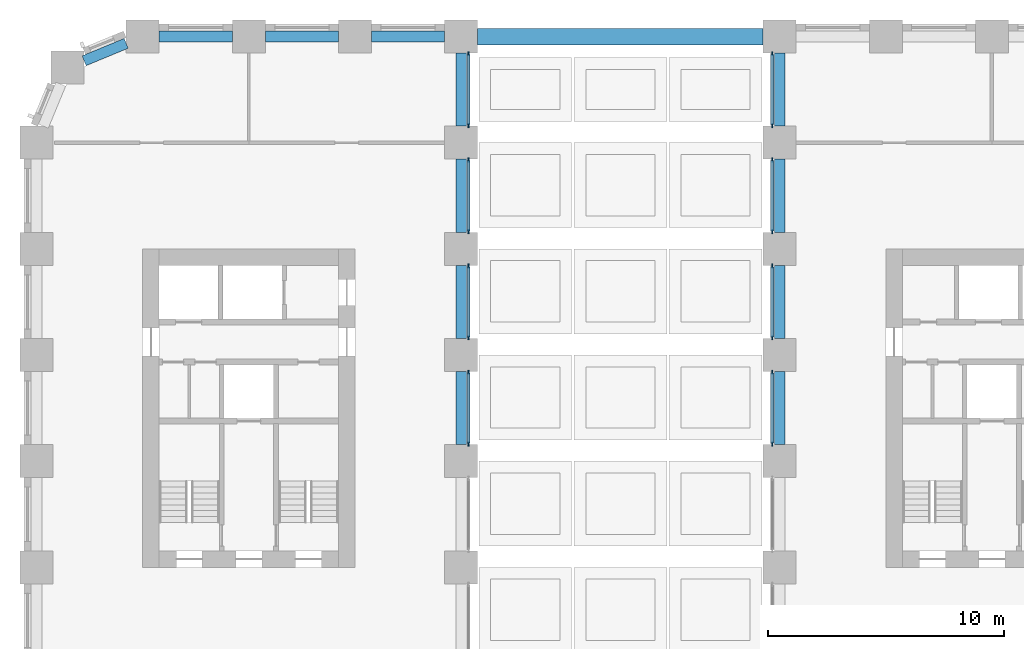
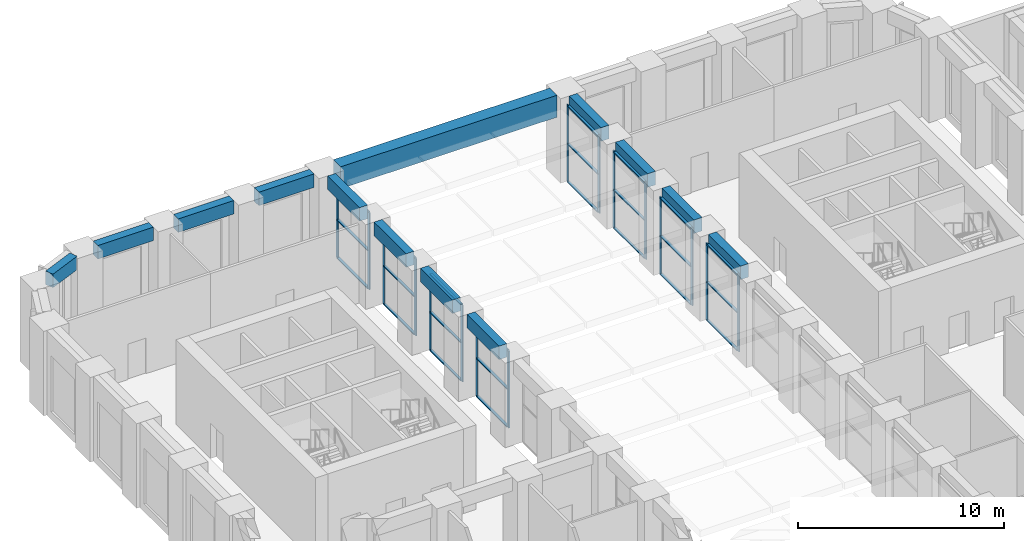
# One storey, part 5 of 24: 40 members, 13 beams, 8 elements without a shape of their own.
"""IFC4 building model written with IfcOpenShell, lengths in metres."""

from ifc_helpers import new_model, si_unit, direction, frame, origin, origin_2d, place, context, subcontext, project, spatial, rectangle, extrude, material, material_profile, profile_set, type_object, element, aggregate, save


model = new_model("IFC4")

# Units and contexts
model_context = context("Model", 3, precision=1e-05, world=origin(), true_north=direction((0.0, 1.0)))
body_context = subcontext(model_context, "Body", "Model", "MODEL_VIEW")
ifc_project = project(units=[si_unit("LENGTHUNIT", "METRE"), si_unit("AREAUNIT", "SQUARE_METRE"), si_unit("VOLUMEUNIT", "CUBIC_METRE"), si_unit("PLANEANGLEUNIT", "RADIAN"), si_unit("MASSUNIT", "GRAM", prefix="KILO")], contexts=[model_context])

# Site, building, storey
site_placement = place(None, origin())
site = spatial("IfcSite", under=ifc_project, at=site_placement, CompositionType="ELEMENT")
building_placement = place(site_placement, origin())
building = spatial("IfcBuilding", under=site, at=building_placement, Name="Girih Gate Residences", CompositionType="ELEMENT")
storey_placement = place(building_placement, frame((0.0, 0.0, 16.0)))
storey = spatial("IfcBuildingStorey", under=building, at=storey_placement, Name="L03", CompositionType="ELEMENT", Elevation=16.0)

# Curtain wall, members
ifc_material_1 = material(Name="Aluminium curtain wall frame", Category="aluminium")
curtain_wall_type = type_object("IfcCurtainWallType", Name="Curtain wall CW-2 podium amenity glazing", PredefinedType="NOTDEFINED", material=ifc_material_1)
curtain_wall_1_placement = place(storey_placement, origin())
curtain_wall_1 = element("IfcCurtainWall", 1, at=curtain_wall_1_placement, inside=storey, type_object=curtain_wall_type, Name="CW-2 Podium amenity glazing E0180_0000.7", PredefinedType="NOTDEFINED")
ifc_material_profile_1 = material_profile(ifc_material_1, rectangle(XDim=0.06005859375, YDim=0.179931640625, at=origin_2d()))
ifc_profile_set_1 = profile_set([ifc_material_profile_1], Name="Aluminium curtain wall frame")
member_type_1 = type_object("IfcMemberType", Name="Curtain wall mullion 60x180", PredefinedType="MULLION", material=ifc_profile_set_1)
member_1_placement = place(storey_placement, frame((18.31494140625, 32.22998046875, 0.0), z_axis=(0.0, 0.0, 1.0), x_axis=(-1.0, 0.0, 0.0)))
member_1 = element("IfcMember", 2, at=member_1_placement, type_object=member_type_1, Name="CW-2 mullion 1", PredefinedType="MULLION", context=body_context, shape_type="SweptSolid", body=[
    extrude(rectangle(XDim=0.06005859375, YDim=0.179931640625, at=origin_2d()), origin(), (0.0, 0.0, 1.0), 4.550048828125),
])
member_2_placement = place(storey_placement, frame((18.31494140625, 35.27001953125, 0.0), z_axis=(0.0, 0.0, 1.0), x_axis=(-1.0, 0.0, 0.0)))
member_2 = element("IfcMember", 3, at=member_2_placement, type_object=member_type_1, Name="CW-2 mullion 2", PredefinedType="MULLION", context=body_context, shape_type="SweptSolid", body=[
    extrude(rectangle(XDim=0.06005859375, YDim=0.179931640625, at=origin_2d()), origin(), (0.0, 0.0, 1.0), 4.550048828125),
])

curtain_wall_2_placement = place(storey_placement, origin())
curtain_wall_2 = element("IfcCurtainWall", 4, at=curtain_wall_2_placement, inside=storey, type_object=curtain_wall_type, Name="CW-2 Podium amenity glazing E0180_0000.8", PredefinedType="NOTDEFINED")
member_3_placement = place(storey_placement, frame((18.31494140625, 36.72998046875, 0.0), z_axis=(0.0, 0.0, 1.0), x_axis=(-1.0, 0.0, 0.0)))
member_3 = element("IfcMember", 5, at=member_3_placement, type_object=member_type_1, Name="CW-2 mullion 1", PredefinedType="MULLION", context=body_context, shape_type="SweptSolid", body=[
    extrude(rectangle(XDim=0.06005859375, YDim=0.179931640625, at=origin_2d()), origin(), (0.0, 0.0, 1.0), 4.550048828125),
])
member_4_placement = place(storey_placement, frame((18.31494140625, 39.77001953125, 0.0), z_axis=(0.0, 0.0, 1.0), x_axis=(-1.0, 0.0, 0.0)))
member_4 = element("IfcMember", 6, at=member_4_placement, type_object=member_type_1, Name="CW-2 mullion 2", PredefinedType="MULLION", context=body_context, shape_type="SweptSolid", body=[
    extrude(rectangle(XDim=0.06005859375, YDim=0.179931640625, at=origin_2d()), origin(), (0.0, 0.0, 1.0), 4.550048828125),
])

curtain_wall_3_placement = place(storey_placement, origin())
curtain_wall_3 = element("IfcCurtainWall", 7, at=curtain_wall_3_placement, inside=storey, type_object=curtain_wall_type, Name="CW-2 Podium amenity glazing E0180_0000.9", PredefinedType="NOTDEFINED")
member_5_placement = place(storey_placement, frame((18.31494140625, 41.22998046875, 0.0), z_axis=(0.0, 0.0, 1.0), x_axis=(-1.0, 0.0, 0.0)))
member_5 = element("IfcMember", 8, at=member_5_placement, type_object=member_type_1, Name="CW-2 mullion 1", PredefinedType="MULLION", context=body_context, shape_type="SweptSolid", body=[
    extrude(rectangle(XDim=0.06005859375, YDim=0.179931640625, at=origin_2d()), origin(), (0.0, 0.0, 1.0), 4.550048828125),
])
member_6_placement = place(storey_placement, frame((18.31494140625, 44.27001953125, 0.0), z_axis=(0.0, 0.0, 1.0), x_axis=(-1.0, 0.0, 0.0)))
member_6 = element("IfcMember", 9, at=member_6_placement, type_object=member_type_1, Name="CW-2 mullion 2", PredefinedType="MULLION", context=body_context, shape_type="SweptSolid", body=[
    extrude(rectangle(XDim=0.06005859375, YDim=0.179931640625, at=origin_2d()), origin(), (0.0, 0.0, 1.0), 4.550048828125),
])

curtain_wall_4_placement = place(storey_placement, origin())
curtain_wall_4 = element("IfcCurtainWall", 10, at=curtain_wall_4_placement, inside=storey, type_object=curtain_wall_type, Name="CW-2 Podium amenity glazing E0180_0000.10", PredefinedType="NOTDEFINED")
member_7_placement = place(storey_placement, frame((18.31494140625, 45.72998046875, 0.0), z_axis=(0.0, 0.0, 1.0), x_axis=(-1.0, 0.0, 0.0)))
member_7 = element("IfcMember", 11, at=member_7_placement, type_object=member_type_1, Name="CW-2 mullion 1", PredefinedType="MULLION", context=body_context, shape_type="SweptSolid", body=[
    extrude(rectangle(XDim=0.06005859375, YDim=0.179931640625, at=origin_2d()), origin(), (0.0, 0.0, 1.0), 4.550048828125),
])
member_8_placement = place(storey_placement, frame((18.31494140625, 48.77001953125, 0.0), z_axis=(0.0, 0.0, 1.0), x_axis=(-1.0, 0.0, 0.0)))
member_8 = element("IfcMember", 12, at=member_8_placement, type_object=member_type_1, Name="CW-2 mullion 2", PredefinedType="MULLION", context=body_context, shape_type="SweptSolid", body=[
    extrude(rectangle(XDim=0.06005859375, YDim=0.179931640625, at=origin_2d()), origin(), (0.0, 0.0, 1.0), 4.550048828125),
])

curtain_wall_5_placement = place(storey_placement, origin())
curtain_wall_5 = element("IfcCurtainWall", 13, at=curtain_wall_5_placement, inside=storey, type_object=curtain_wall_type, Name="CW-2 Podium amenity glazing W0315_0495.0", PredefinedType="NOTDEFINED")
member_9_placement = place(storey_placement, frame((31.18505859375, 48.77001953125, 0.0), z_axis=(0.0, 0.0, 1.0), x_axis=(1.0, 0.0, 0.0)))
member_9 = element("IfcMember", 14, at=member_9_placement, type_object=member_type_1, Name="CW-2 mullion 1", PredefinedType="MULLION", context=body_context, shape_type="SweptSolid", body=[
    extrude(rectangle(XDim=0.06005859375, YDim=0.179931640625, at=origin_2d()), origin(), (0.0, 0.0, 1.0), 4.550048828125),
])
member_10_placement = place(storey_placement, frame((31.18505859375, 45.72998046875, 0.0), z_axis=(0.0, 0.0, 1.0), x_axis=(1.0, 0.0, 0.0)))
member_10 = element("IfcMember", 15, at=member_10_placement, type_object=member_type_1, Name="CW-2 mullion 2", PredefinedType="MULLION", context=body_context, shape_type="SweptSolid", body=[
    extrude(rectangle(XDim=0.06005859375, YDim=0.179931640625, at=origin_2d()), origin(), (0.0, 0.0, 1.0), 4.550048828125),
])

curtain_wall_6_placement = place(storey_placement, origin())
curtain_wall_6 = element("IfcCurtainWall", 16, at=curtain_wall_6_placement, inside=storey, type_object=curtain_wall_type, Name="CW-2 Podium amenity glazing W0315_0495.1", PredefinedType="NOTDEFINED")
member_11_placement = place(storey_placement, frame((31.18505859375, 44.27001953125, 0.0), z_axis=(0.0, 0.0, 1.0), x_axis=(1.0, 0.0, 0.0)))
member_11 = element("IfcMember", 17, at=member_11_placement, type_object=member_type_1, Name="CW-2 mullion 1", PredefinedType="MULLION", context=body_context, shape_type="SweptSolid", body=[
    extrude(rectangle(XDim=0.06005859375, YDim=0.179931640625, at=origin_2d()), origin(), (0.0, 0.0, 1.0), 4.550048828125),
])
member_12_placement = place(storey_placement, frame((31.18505859375, 41.22998046875, 0.0), z_axis=(0.0, 0.0, 1.0), x_axis=(1.0, 0.0, 0.0)))
member_12 = element("IfcMember", 18, at=member_12_placement, type_object=member_type_1, Name="CW-2 mullion 2", PredefinedType="MULLION", context=body_context, shape_type="SweptSolid", body=[
    extrude(rectangle(XDim=0.06005859375, YDim=0.179931640625, at=origin_2d()), origin(), (0.0, 0.0, 1.0), 4.550048828125),
])

curtain_wall_7_placement = place(storey_placement, origin())
curtain_wall_7 = element("IfcCurtainWall", 19, at=curtain_wall_7_placement, inside=storey, type_object=curtain_wall_type, Name="CW-2 Podium amenity glazing W0315_0495.2", PredefinedType="NOTDEFINED")
member_13_placement = place(storey_placement, frame((31.18505859375, 39.77001953125, 0.0), z_axis=(0.0, 0.0, 1.0), x_axis=(1.0, 0.0, 0.0)))
member_13 = element("IfcMember", 20, at=member_13_placement, type_object=member_type_1, Name="CW-2 mullion 1", PredefinedType="MULLION", context=body_context, shape_type="SweptSolid", body=[
    extrude(rectangle(XDim=0.06005859375, YDim=0.179931640625, at=origin_2d()), origin(), (0.0, 0.0, 1.0), 4.550048828125),
])
member_14_placement = place(storey_placement, frame((31.18505859375, 36.72998046875, 0.0), z_axis=(0.0, 0.0, 1.0), x_axis=(1.0, 0.0, 0.0)))
member_14 = element("IfcMember", 21, at=member_14_placement, type_object=member_type_1, Name="CW-2 mullion 2", PredefinedType="MULLION", context=body_context, shape_type="SweptSolid", body=[
    extrude(rectangle(XDim=0.06005859375, YDim=0.179931640625, at=origin_2d()), origin(), (0.0, 0.0, 1.0), 4.550048828125),
])

curtain_wall_8_placement = place(storey_placement, origin())
curtain_wall_8 = element("IfcCurtainWall", 22, at=curtain_wall_8_placement, inside=storey, type_object=curtain_wall_type, Name="CW-2 Podium amenity glazing W0315_0495.3", PredefinedType="NOTDEFINED")
member_15_placement = place(storey_placement, frame((31.18505859375, 35.27001953125, 0.0), z_axis=(0.0, 0.0, 1.0), x_axis=(1.0, 0.0, 0.0)))
member_15 = element("IfcMember", 23, at=member_15_placement, type_object=member_type_1, Name="CW-2 mullion 1", PredefinedType="MULLION", context=body_context, shape_type="SweptSolid", body=[
    extrude(rectangle(XDim=0.06005859375, YDim=0.179931640625, at=origin_2d()), origin(), (0.0, 0.0, 1.0), 4.550048828125),
])
member_16_placement = place(storey_placement, frame((31.18505859375, 32.22998046875, 0.0), z_axis=(0.0, 0.0, 1.0), x_axis=(1.0, 0.0, 0.0)))
member_16 = element("IfcMember", 24, at=member_16_placement, type_object=member_type_1, Name="CW-2 mullion 2", PredefinedType="MULLION", context=body_context, shape_type="SweptSolid", body=[
    extrude(rectangle(XDim=0.06005859375, YDim=0.179931640625, at=origin_2d()), origin(), (0.0, 0.0, 1.0), 4.550048828125),
])

# Member
ifc_material_profile_2 = material_profile(ifc_material_1, rectangle(XDim=0.139892578125, YDim=0.06005859375, at=origin_2d()))
ifc_profile_set_2 = profile_set([ifc_material_profile_2], Name="Aluminium curtain wall frame")
member_type_2 = type_object("IfcMemberType", Name="Curtain wall transom 60x140", PredefinedType="USERDEFINED", material=ifc_profile_set_2)
member_17_placement = place(storey_placement, frame((18.31494140625, 32.260009765625, 0.030029296875), z_axis=(0.0, 1.0, 0.0), x_axis=(-1.0, 0.0, 0.0)))
member_17 = element("IfcMember", 25, at=member_17_placement, type_object=member_type_2, Name="CW-2 transom 1.1", ObjectType="TRANSOM", PredefinedType="USERDEFINED", context=body_context, shape_type="SweptSolid", body=[
    extrude(rectangle(XDim=0.139892578125, YDim=0.06005859375, at=origin_2d()), origin(), (0.0, 0.0, 1.0), 2.97998046875),
])

member_18_placement = place(storey_placement, frame((18.31494140625, 32.260009765625, 2.27490234375), z_axis=(0.0, 1.0, 0.0), x_axis=(-1.0, 0.0, 0.0)))
member_18 = element("IfcMember", 26, at=member_18_placement, type_object=member_type_2, Name="CW-2 transom 1.2", ObjectType="TRANSOM", PredefinedType="USERDEFINED", context=body_context, shape_type="SweptSolid", body=[
    extrude(rectangle(XDim=0.139892578125, YDim=0.06005859375, at=origin_2d()), origin(), (0.0, 0.0, 1.0), 2.97998046875),
])

member_19_placement = place(storey_placement, frame((18.31494140625, 32.260009765625, 4.52001953125), z_axis=(0.0, 1.0, 0.0), x_axis=(-1.0, 0.0, 0.0)))
member_19 = element("IfcMember", 27, at=member_19_placement, type_object=member_type_2, Name="CW-2 transom 1.3", ObjectType="TRANSOM", PredefinedType="USERDEFINED", context=body_context, shape_type="SweptSolid", body=[
    extrude(rectangle(XDim=0.139892578125, YDim=0.06005859375, at=origin_2d()), origin(), (0.0, 0.0, 1.0), 2.97998046875),
])

aggregate(curtain_wall_1, [member_1, member_2, member_17, member_18, member_19])

member_20_placement = place(storey_placement, frame((18.31494140625, 36.760009765625, 0.030029296875), z_axis=(0.0, 1.0, 0.0), x_axis=(-1.0, 0.0, 0.0)))
member_20 = element("IfcMember", 28, at=member_20_placement, type_object=member_type_2, Name="CW-2 transom 1.1", ObjectType="TRANSOM", PredefinedType="USERDEFINED", context=body_context, shape_type="SweptSolid", body=[
    extrude(rectangle(XDim=0.139892578125, YDim=0.06005859375, at=origin_2d()), origin(), (0.0, 0.0, 1.0), 2.97998046875),
])

member_21_placement = place(storey_placement, frame((18.31494140625, 36.760009765625, 2.27490234375), z_axis=(0.0, 1.0, 0.0), x_axis=(-1.0, 0.0, 0.0)))
member_21 = element("IfcMember", 29, at=member_21_placement, type_object=member_type_2, Name="CW-2 transom 1.2", ObjectType="TRANSOM", PredefinedType="USERDEFINED", context=body_context, shape_type="SweptSolid", body=[
    extrude(rectangle(XDim=0.139892578125, YDim=0.06005859375, at=origin_2d()), origin(), (0.0, 0.0, 1.0), 2.97998046875),
])

member_22_placement = place(storey_placement, frame((18.31494140625, 36.760009765625, 4.52001953125), z_axis=(0.0, 1.0, 0.0), x_axis=(-1.0, 0.0, 0.0)))
member_22 = element("IfcMember", 30, at=member_22_placement, type_object=member_type_2, Name="CW-2 transom 1.3", ObjectType="TRANSOM", PredefinedType="USERDEFINED", context=body_context, shape_type="SweptSolid", body=[
    extrude(rectangle(XDim=0.139892578125, YDim=0.06005859375, at=origin_2d()), origin(), (0.0, 0.0, 1.0), 2.97998046875),
])

aggregate(curtain_wall_2, [member_3, member_4, member_20, member_21, member_22])

member_23_placement = place(storey_placement, frame((18.31494140625, 41.260009765625, 0.030029296875), z_axis=(0.0, 1.0, 0.0), x_axis=(-1.0, 0.0, 0.0)))
member_23 = element("IfcMember", 31, at=member_23_placement, type_object=member_type_2, Name="CW-2 transom 1.1", ObjectType="TRANSOM", PredefinedType="USERDEFINED", context=body_context, shape_type="SweptSolid", body=[
    extrude(rectangle(XDim=0.139892578125, YDim=0.06005859375, at=origin_2d()), origin(), (0.0, 0.0, 1.0), 2.97998046875),
])

member_24_placement = place(storey_placement, frame((18.31494140625, 41.260009765625, 2.27490234375), z_axis=(0.0, 1.0, 0.0), x_axis=(-1.0, 0.0, 0.0)))
member_24 = element("IfcMember", 32, at=member_24_placement, type_object=member_type_2, Name="CW-2 transom 1.2", ObjectType="TRANSOM", PredefinedType="USERDEFINED", context=body_context, shape_type="SweptSolid", body=[
    extrude(rectangle(XDim=0.139892578125, YDim=0.06005859375, at=origin_2d()), origin(), (0.0, 0.0, 1.0), 2.97998046875),
])

member_25_placement = place(storey_placement, frame((18.31494140625, 41.260009765625, 4.52001953125), z_axis=(0.0, 1.0, 0.0), x_axis=(-1.0, 0.0, 0.0)))
member_25 = element("IfcMember", 33, at=member_25_placement, type_object=member_type_2, Name="CW-2 transom 1.3", ObjectType="TRANSOM", PredefinedType="USERDEFINED", context=body_context, shape_type="SweptSolid", body=[
    extrude(rectangle(XDim=0.139892578125, YDim=0.06005859375, at=origin_2d()), origin(), (0.0, 0.0, 1.0), 2.97998046875),
])

aggregate(curtain_wall_3, [member_5, member_6, member_23, member_24, member_25])

member_26_placement = place(storey_placement, frame((18.31494140625, 45.760009765625, 0.030029296875), z_axis=(0.0, 1.0, 0.0), x_axis=(-1.0, 0.0, 0.0)))
member_26 = element("IfcMember", 34, at=member_26_placement, type_object=member_type_2, Name="CW-2 transom 1.1", ObjectType="TRANSOM", PredefinedType="USERDEFINED", context=body_context, shape_type="SweptSolid", body=[
    extrude(rectangle(XDim=0.139892578125, YDim=0.06005859375, at=origin_2d()), origin(), (0.0, 0.0, 1.0), 2.97998046875),
])

member_27_placement = place(storey_placement, frame((18.31494140625, 45.760009765625, 2.27490234375), z_axis=(0.0, 1.0, 0.0), x_axis=(-1.0, 0.0, 0.0)))
member_27 = element("IfcMember", 35, at=member_27_placement, type_object=member_type_2, Name="CW-2 transom 1.2", ObjectType="TRANSOM", PredefinedType="USERDEFINED", context=body_context, shape_type="SweptSolid", body=[
    extrude(rectangle(XDim=0.139892578125, YDim=0.06005859375, at=origin_2d()), origin(), (0.0, 0.0, 1.0), 2.97998046875),
])

member_28_placement = place(storey_placement, frame((18.31494140625, 45.760009765625, 4.52001953125), z_axis=(0.0, 1.0, 0.0), x_axis=(-1.0, 0.0, 0.0)))
member_28 = element("IfcMember", 36, at=member_28_placement, type_object=member_type_2, Name="CW-2 transom 1.3", ObjectType="TRANSOM", PredefinedType="USERDEFINED", context=body_context, shape_type="SweptSolid", body=[
    extrude(rectangle(XDim=0.139892578125, YDim=0.06005859375, at=origin_2d()), origin(), (0.0, 0.0, 1.0), 2.97998046875),
])

aggregate(curtain_wall_4, [member_7, member_8, member_26, member_27, member_28])

member_29_placement = place(storey_placement, frame((31.18505859375, 48.739990234375, 0.030029296875), z_axis=(0.0, -1.0, 0.0), x_axis=(1.0, 0.0, 0.0)))
member_29 = element("IfcMember", 37, at=member_29_placement, type_object=member_type_2, Name="CW-2 transom 1.1", ObjectType="TRANSOM", PredefinedType="USERDEFINED", context=body_context, shape_type="SweptSolid", body=[
    extrude(rectangle(XDim=0.139892578125, YDim=0.06005859375, at=origin_2d()), origin(), (0.0, 0.0, 1.0), 2.97998046875),
])

member_30_placement = place(storey_placement, frame((31.18505859375, 48.739990234375, 2.27490234375), z_axis=(0.0, -1.0, 0.0), x_axis=(1.0, 0.0, 0.0)))
member_30 = element("IfcMember", 38, at=member_30_placement, type_object=member_type_2, Name="CW-2 transom 1.2", ObjectType="TRANSOM", PredefinedType="USERDEFINED", context=body_context, shape_type="SweptSolid", body=[
    extrude(rectangle(XDim=0.139892578125, YDim=0.06005859375, at=origin_2d()), origin(), (0.0, 0.0, 1.0), 2.97998046875),
])

member_31_placement = place(storey_placement, frame((31.18505859375, 48.739990234375, 4.52001953125), z_axis=(0.0, -1.0, 0.0), x_axis=(1.0, 0.0, 0.0)))
member_31 = element("IfcMember", 39, at=member_31_placement, type_object=member_type_2, Name="CW-2 transom 1.3", ObjectType="TRANSOM", PredefinedType="USERDEFINED", context=body_context, shape_type="SweptSolid", body=[
    extrude(rectangle(XDim=0.139892578125, YDim=0.06005859375, at=origin_2d()), origin(), (0.0, 0.0, 1.0), 2.97998046875),
])

aggregate(curtain_wall_5, [member_9, member_10, member_29, member_30, member_31])

member_32_placement = place(storey_placement, frame((31.18505859375, 44.239990234375, 0.030029296875), z_axis=(0.0, -1.0, 0.0), x_axis=(1.0, 0.0, 0.0)))
member_32 = element("IfcMember", 40, at=member_32_placement, type_object=member_type_2, Name="CW-2 transom 1.1", ObjectType="TRANSOM", PredefinedType="USERDEFINED", context=body_context, shape_type="SweptSolid", body=[
    extrude(rectangle(XDim=0.139892578125, YDim=0.06005859375, at=origin_2d()), origin(), (0.0, 0.0, 1.0), 2.97998046875),
])

member_33_placement = place(storey_placement, frame((31.18505859375, 44.239990234375, 2.27490234375), z_axis=(0.0, -1.0, 0.0), x_axis=(1.0, 0.0, 0.0)))
member_33 = element("IfcMember", 41, at=member_33_placement, type_object=member_type_2, Name="CW-2 transom 1.2", ObjectType="TRANSOM", PredefinedType="USERDEFINED", context=body_context, shape_type="SweptSolid", body=[
    extrude(rectangle(XDim=0.139892578125, YDim=0.06005859375, at=origin_2d()), origin(), (0.0, 0.0, 1.0), 2.97998046875),
])

member_34_placement = place(storey_placement, frame((31.18505859375, 44.239990234375, 4.52001953125), z_axis=(0.0, -1.0, 0.0), x_axis=(1.0, 0.0, 0.0)))
member_34 = element("IfcMember", 42, at=member_34_placement, type_object=member_type_2, Name="CW-2 transom 1.3", ObjectType="TRANSOM", PredefinedType="USERDEFINED", context=body_context, shape_type="SweptSolid", body=[
    extrude(rectangle(XDim=0.139892578125, YDim=0.06005859375, at=origin_2d()), origin(), (0.0, 0.0, 1.0), 2.97998046875),
])

aggregate(curtain_wall_6, [member_11, member_12, member_32, member_33, member_34])

member_35_placement = place(storey_placement, frame((31.18505859375, 39.739990234375, 0.030029296875), z_axis=(0.0, -1.0, 0.0), x_axis=(1.0, 0.0, 0.0)))
member_35 = element("IfcMember", 43, at=member_35_placement, type_object=member_type_2, Name="CW-2 transom 1.1", ObjectType="TRANSOM", PredefinedType="USERDEFINED", context=body_context, shape_type="SweptSolid", body=[
    extrude(rectangle(XDim=0.139892578125, YDim=0.06005859375, at=origin_2d()), origin(), (0.0, 0.0, 1.0), 2.97998046875),
])

member_36_placement = place(storey_placement, frame((31.18505859375, 39.739990234375, 2.27490234375), z_axis=(0.0, -1.0, 0.0), x_axis=(1.0, 0.0, 0.0)))
member_36 = element("IfcMember", 44, at=member_36_placement, type_object=member_type_2, Name="CW-2 transom 1.2", ObjectType="TRANSOM", PredefinedType="USERDEFINED", context=body_context, shape_type="SweptSolid", body=[
    extrude(rectangle(XDim=0.139892578125, YDim=0.06005859375, at=origin_2d()), origin(), (0.0, 0.0, 1.0), 2.97998046875),
])

member_37_placement = place(storey_placement, frame((31.18505859375, 39.739990234375, 4.52001953125), z_axis=(0.0, -1.0, 0.0), x_axis=(1.0, 0.0, 0.0)))
member_37 = element("IfcMember", 45, at=member_37_placement, type_object=member_type_2, Name="CW-2 transom 1.3", ObjectType="TRANSOM", PredefinedType="USERDEFINED", context=body_context, shape_type="SweptSolid", body=[
    extrude(rectangle(XDim=0.139892578125, YDim=0.06005859375, at=origin_2d()), origin(), (0.0, 0.0, 1.0), 2.97998046875),
])

aggregate(curtain_wall_7, [member_13, member_14, member_35, member_36, member_37])

member_38_placement = place(storey_placement, frame((31.18505859375, 35.239990234375, 0.030029296875), z_axis=(0.0, -1.0, 0.0), x_axis=(1.0, 0.0, 0.0)))
member_38 = element("IfcMember", 46, at=member_38_placement, type_object=member_type_2, Name="CW-2 transom 1.1", ObjectType="TRANSOM", PredefinedType="USERDEFINED", context=body_context, shape_type="SweptSolid", body=[
    extrude(rectangle(XDim=0.139892578125, YDim=0.06005859375, at=origin_2d()), origin(), (0.0, 0.0, 1.0), 2.97998046875),
])

member_39_placement = place(storey_placement, frame((31.18505859375, 35.239990234375, 2.27490234375), z_axis=(0.0, -1.0, 0.0), x_axis=(1.0, 0.0, 0.0)))
member_39 = element("IfcMember", 47, at=member_39_placement, type_object=member_type_2, Name="CW-2 transom 1.2", ObjectType="TRANSOM", PredefinedType="USERDEFINED", context=body_context, shape_type="SweptSolid", body=[
    extrude(rectangle(XDim=0.139892578125, YDim=0.06005859375, at=origin_2d()), origin(), (0.0, 0.0, 1.0), 2.97998046875),
])

member_40_placement = place(storey_placement, frame((31.18505859375, 35.239990234375, 4.52001953125), z_axis=(0.0, -1.0, 0.0), x_axis=(1.0, 0.0, 0.0)))
member_40 = element("IfcMember", 48, at=member_40_placement, type_object=member_type_2, Name="CW-2 transom 1.3", ObjectType="TRANSOM", PredefinedType="USERDEFINED", context=body_context, shape_type="SweptSolid", body=[
    extrude(rectangle(XDim=0.139892578125, YDim=0.06005859375, at=origin_2d()), origin(), (0.0, 0.0, 1.0), 2.97998046875),
])

aggregate(curtain_wall_8, [member_15, member_16, member_38, member_39, member_40])

# Beams
ifc_material_2 = material(Name="Concrete C60/75", Category="concrete")
ifc_material_profile_3 = material_profile(ifc_material_2, rectangle(XDim=0.449951171875, YDim=0.800048828125, at=origin_2d()))
ifc_profile_set_3 = profile_set([ifc_material_profile_3], Name="Concrete C60/75")
beam_type_1 = type_object("IfcBeamType", Name="Spandrel girder RC 450x800 Concrete C60/75", PredefinedType="BEAM", material=ifc_profile_set_3)
for number, where, z_axis, x_axis, name in (
    (49, (17.300048828125, 49.5, 4.60009765625), (-1.0, 0.0, 0.0), (0.0, -1.0, 0.0), "Spandrel girder SP-P5L-P4L L03"),
    (50, (12.800048828125, 49.5, 4.60009765625), (-1.0, 0.0, 0.0), (0.0, -1.0, 0.0), "Spandrel girder SP-P4L-P3L L03"),
    (51, (8.300048828125, 49.5, 4.60009765625), (-1.0, 0.0, 0.0), (0.0, -1.0, 0.0), "Spandrel girder SP-P3L-P2L L03"),
):
    element("IfcBeam", number, at=place(storey_placement, frame(where, z_axis=z_axis, x_axis=x_axis)), inside=storey, type_object=beam_type_1, Name=name, PredefinedType="BEAM", context=body_context, shape_type="SweptSolid", body=[
        extrude(rectangle(XDim=0.449951171875, YDim=0.800048828125, at=origin_2d()), origin(), (0.0, 0.0, 1.0), 3.10009765625),
    ])
beam_1_placement = place(storey_placement, frame((3.800048828125, 49.2099609375, 4.60009765625), z_axis=(-0.923894961945, -0.382646180293, 0.0), x_axis=(0.382646180293, -0.923894961945, 0.0)))
element("IfcBeam", 52, at=beam_1_placement, inside=storey, type_object=beam_type_1, Name="Spandrel girder SP-P2L-P1LSE L03", PredefinedType="BEAM", context=body_context, shape_type="SweptSolid", body=[
    extrude(rectangle(XDim=0.449951171875, YDim=0.800048828125, at=origin_2d()), origin(), (0.0, 0.0, 1.0), 1.9287109375),
])
for number, where, z_axis, x_axis, name in (
    (53, (18.0, 32.199951171875, 4.60009765625), (0.0, 1.0, 0.0), (-1.0, 0.0, 0.0), "Spandrel girder SP-P5H-P5I L03"),
    (54, (18.0, 36.699951171875, 4.60009765625), (0.0, 1.0, 0.0), (-1.0, 0.0, 0.0), "Spandrel girder SP-P5I-P5J L03"),
    (55, (18.0, 41.199951171875, 4.60009765625), (0.0, 1.0, 0.0), (-1.0, 0.0, 0.0), "Spandrel girder SP-P5J-P5K L03"),
    (56, (18.0, 45.699951171875, 4.60009765625), (0.0, 1.0, 0.0), (-1.0, 0.0, 0.0), "Spandrel girder SP-P5K-P5L L03"),
    (57, (31.5, 48.800048828125, 4.60009765625), (0.0, -1.0, 0.0), (1.0, 0.0, 0.0), "Spandrel girder SP-P8L-P8K L03"),
    (58, (31.5, 44.300048828125, 4.60009765625), (0.0, -1.0, 0.0), (1.0, 0.0, 0.0), "Spandrel girder SP-P8K-P8J L03"),
    (59, (31.5, 39.800048828125, 4.60009765625), (0.0, -1.0, 0.0), (1.0, 0.0, 0.0), "Spandrel girder SP-P8J-P8I L03"),
    (60, (31.5, 35.300048828125, 4.60009765625), (0.0, -1.0, 0.0), (1.0, 0.0, 0.0), "Spandrel girder SP-P8I-P8H L03"),
):
    element("IfcBeam", number, at=place(storey_placement, frame(where, z_axis=z_axis, x_axis=x_axis)), inside=storey, type_object=beam_type_1, Name=name, PredefinedType="BEAM", context=body_context, shape_type="SweptSolid", body=[
        extrude(rectangle(XDim=0.449951171875, YDim=0.800048828125, at=origin_2d()), origin(), (0.0, 0.0, 1.0), 3.10009765625),
    ])
ifc_material_profile_4 = material_profile(ifc_material_2, rectangle(XDim=0.699951171875, YDim=1.300048828125, at=origin_2d()))
ifc_profile_set_4 = profile_set([ifc_material_profile_4], Name="Concrete C60/75")
beam_type_2 = type_object("IfcBeamType", Name="Transfer girder RC 700x1300 Concrete C60/75", PredefinedType="BEAM", material=ifc_profile_set_4)
beam_2_placement = place(storey_placement, frame((18.699951171875, 49.5, 4.35009765625), z_axis=(1.0, 0.0, 0.0), x_axis=(0.0, 1.0, 0.0)))
element("IfcBeam", 61, at=beam_2_placement, inside=storey, type_object=beam_type_2, Name="Transfer girder TG1 L03 north", PredefinedType="BEAM", context=body_context, shape_type="SweptSolid", body=[
    extrude(rectangle(XDim=0.699951171875, YDim=1.300048828125, at=origin_2d()), origin(), (0.0, 0.0, 1.0), 12.10009765625),
])

save(model, "model.ifc")
